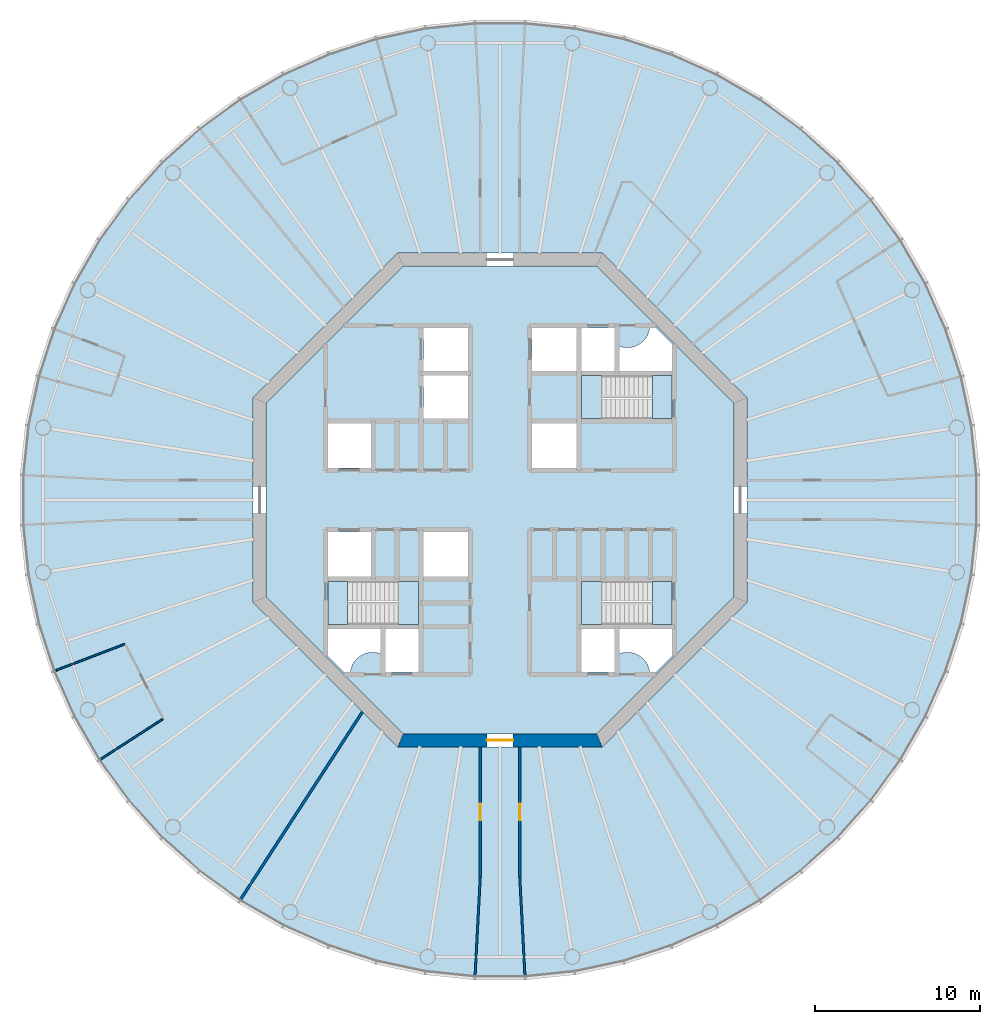
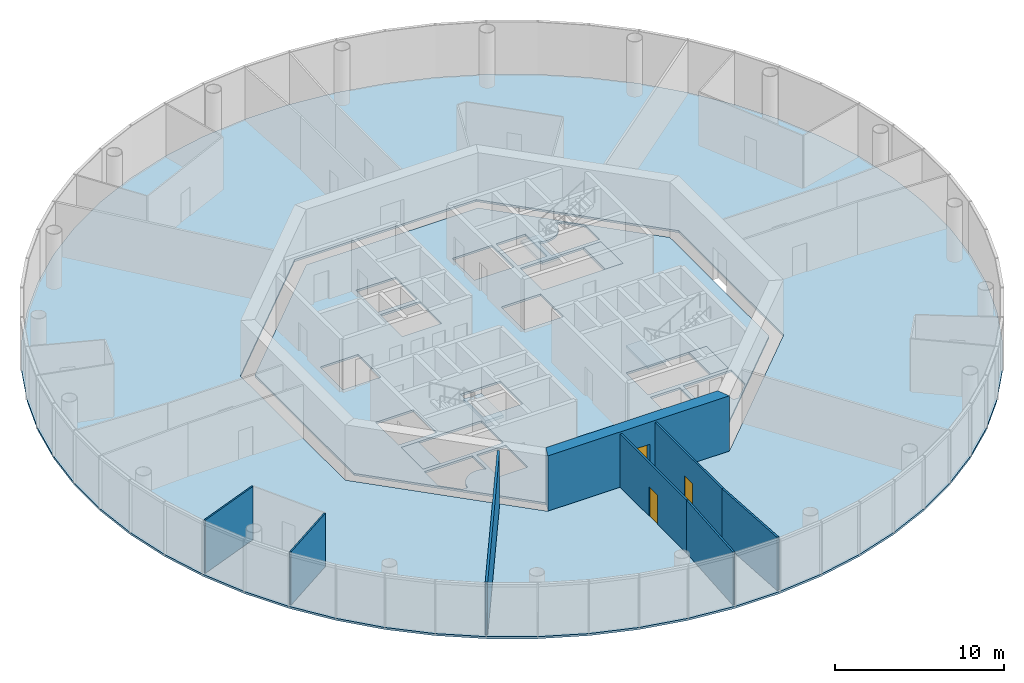
# One storey, part 2 of 13: 8 slabs, 8 walls, 3 doors, 3 openings, 3 elements without a shape of their own.
"""IFC4 building model written with IfcOpenShell, lengths in metres."""

from ifc_helpers import new_model, si_unit, direction, frame, frame_2d, origin, place, context, subcontext, project, spatial, polyline, rectangle, outline, extrude, material, layer, layer_set, type_object, element, fill, aggregate, save


model = new_model("IFC4")

# Units and contexts
model_context = context("Model", 3, precision=1e-05, world=origin(), true_north=direction((0.0, 1.0)))
body_context = subcontext(model_context, "Body", "Model", "MODEL_VIEW")
ifc_project = project(units=[si_unit("LENGTHUNIT", "METRE"), si_unit("AREAUNIT", "SQUARE_METRE"), si_unit("VOLUMEUNIT", "CUBIC_METRE"), si_unit("PLANEANGLEUNIT", "RADIAN"), si_unit("MASSUNIT", "GRAM", prefix="KILO")], contexts=[model_context])

# Site, building, storey
site_placement = place(None, origin())
site = spatial("IfcSite", under=ifc_project, at=site_placement, CompositionType="ELEMENT")
building_placement = place(site_placement, origin())
building = spatial("IfcBuilding", under=site, at=building_placement, Name="Entoto Ring Tower", CompositionType="ELEMENT")
storey_placement = place(building_placement, frame((0.0, 0.0, 318.0)))
storey = spatial("IfcBuildingStorey", under=building, at=storey_placement, Name="L73", CompositionType="ELEMENT", Elevation=318.0)

# Slabs
ifc_material_1 = material(Name="Concrete C30/37", Category="concrete")
ifc_layer_1 = layer(ifc_material_1, 0.14990234375)
ifc_layer_set_1 = layer_set([ifc_layer_1], Name="Concrete C30/37")
slab_type_1 = type_object("IfcSlabType", Name="Composite floor slab 150 mm", PredefinedType="FLOOR", material=ifc_layer_set_1)
slab_1_placement = place(storey_placement, frame((0.0, 0.0, -0.14990234375)))
element("IfcSlab", 1, at=slab_1_placement, inside=storey, type_object=slab_type_1, Name="Floor slab L73", PredefinedType="FLOOR", context=body_context, shape_type="SweptSolid", body=[
    extrude(outline(polyline([(118.74169921875, 84.55224609375), (118.1083984375, 87.53173828125), (117.167236328125, 90.428466796875), (115.92822265625, 93.211181640625), (114.4052734375, 95.848876953125), (112.614990234375, 98.313232421875), (110.576904296875, 100.576904296875), (108.313232421875, 102.614990234375), (105.848876953125, 104.4052734375), (103.211181640625, 105.92822265625), (100.428466796875, 107.167236328125), (97.53173828125, 108.1083984375), (94.55224609375, 108.74169921875), (91.52294921875, 109.06005859375), (88.47705078125, 109.06005859375), (85.44775390625, 108.74169921875), (82.46826171875, 108.1083984375), (79.571533203125, 107.167236328125), (76.788818359375, 105.92822265625), (74.151123046875, 104.4052734375), (71.686767578125, 102.614990234375), (69.423095703125, 100.576904296875), (67.385009765625, 98.313232421875), (65.5947265625, 95.848876953125), (64.07177734375, 93.211181640625), (62.832763671875, 90.428466796875), (61.8916015625, 87.53173828125), (61.25830078125, 84.55224609375), (60.93994140625, 81.52294921875), (60.93994140625, 78.47705078125), (61.25830078125, 75.44775390625), (61.8916015625, 72.46826171875), (62.832763671875, 69.571533203125), (64.07177734375, 66.788818359375), (65.5947265625, 64.151123046875), (67.385009765625, 61.686767578125), (69.423095703125, 59.423095703125), (71.686767578125, 57.385009765625), (74.151123046875, 55.5947265625), (76.788818359375, 54.07177734375), (79.571533203125, 52.832763671875), (82.46826171875, 51.8916015625), (85.44775390625, 51.25830078125), (88.47705078125, 50.93994140625), (91.52294921875, 50.93994140625), (94.55224609375, 51.25830078125), (97.53173828125, 51.8916015625), (100.428466796875, 52.832763671875), (103.211181640625, 54.07177734375), (105.848876953125, 55.5947265625), (108.313232421875, 57.385009765625), (110.576904296875, 59.423095703125), (112.614990234375, 61.686767578125), (114.4052734375, 64.151123046875), (115.92822265625, 66.788818359375), (117.167236328125, 69.571533203125), (118.1083984375, 72.46826171875), (118.74169921875, 75.44775390625), (119.06005859375, 78.47705078125), (119.06005859375, 81.52294921875), (118.74169921875, 84.55224609375)]), holes=[polyline([(105.0, 73.786865234375), (105.0, 86.213134765625), (96.213134765625, 95.0), (83.786865234375, 95.0), (75.0, 86.213134765625), (75.0, 73.786865234375), (83.786865234375, 65.0), (96.213134765625, 65.0), (105.0, 73.786865234375)])]), origin(), (0.0, 0.0, 1.0), 0.14990234375),
])
ifc_material_2 = material(Name="Concrete C40/50", Category="concrete")
ifc_layer_2 = layer(ifc_material_2, 0.14990234375)
ifc_layer_set_2 = layer_set([ifc_layer_2], Name="Concrete C40/50")
slab_type_2 = type_object("IfcSlabType", Name="Core floor slab 150 mm reinforced concrete C40/50", PredefinedType="FLOOR", material=ifc_layer_set_2)
slab_2_placement = place(storey_placement, frame((0.0, 0.0, -0.14990234375)))
element("IfcSlab", 2, at=slab_2_placement, inside=storey, type_object=slab_type_2, Name="Core floor L73", PredefinedType="FLOOR", context=body_context, shape_type="SweptSolid", body=[
    extrude(outline(polyline([(104.199951171875, 74.1181640625), (104.199951171875, 85.8818359375), (95.8818359375, 94.199951171875), (84.1181640625, 94.199951171875), (75.800048828125, 85.8818359375), (75.800048828125, 74.1181640625), (84.1181640625, 65.800048828125), (95.8818359375, 65.800048828125), (104.199951171875, 74.1181640625)]), holes=[polyline([(100.449951171875, 84.949951171875), (100.449951171875, 87.550048828125), (94.949951171875, 87.550048828125), (94.949951171875, 84.949951171875), (100.449951171875, 84.949951171875)]), polyline([(85.050048828125, 72.449951171875), (85.050048828125, 75.050048828125), (79.550048828125, 75.050048828125), (79.550048828125, 72.449951171875), (85.050048828125, 72.449951171875)]), polyline([(100.449951171875, 72.449951171875), (100.449951171875, 75.050048828125), (94.949951171875, 75.050048828125), (94.949951171875, 72.449951171875), (100.449951171875, 72.449951171875)]), polyline([(94.949951171875, 90.449951171875), (94.949951171875, 87.85009765625), (96.949951171875, 87.85009765625), (96.949951171875, 90.449951171875), (94.949951171875, 90.449951171875)]), polyline([(94.949951171875, 72.14990234375), (94.949951171875, 69.550048828125), (96.949951171875, 69.550048828125), (96.949951171875, 72.14990234375), (94.949951171875, 72.14990234375)]), polyline([(83.050048828125, 72.14990234375), (83.050048828125, 69.550048828125), (85.050048828125, 69.550048828125), (85.050048828125, 72.14990234375), (83.050048828125, 72.14990234375)]), polyline([(79.550048828125, 81.949951171875), (82.14990234375, 81.949951171875), (82.14990234375, 84.64990234375), (79.550048828125, 84.64990234375), (79.550048828125, 81.949951171875)]), polyline([(79.550048828125, 75.35009765625), (82.14990234375, 75.35009765625), (82.14990234375, 78.050048828125), (79.550048828125, 78.050048828125), (79.550048828125, 75.35009765625)]), polyline([(91.949951171875, 87.85009765625), (94.64990234375, 87.85009765625), (94.64990234375, 90.449951171875), (91.949951171875, 90.449951171875), (91.949951171875, 87.85009765625)]), polyline([(91.949951171875, 81.949951171875), (94.64990234375, 81.949951171875), (94.64990234375, 84.64990234375), (91.949951171875, 84.64990234375), (91.949951171875, 81.949951171875)]), polyline([(85.35009765625, 75.35009765625), (88.050048828125, 75.35009765625), (88.050048828125, 78.050048828125), (85.35009765625, 78.050048828125), (85.35009765625, 75.35009765625)]), polyline([(85.35009765625, 84.949951171875), (88.050048828125, 84.949951171875), (88.050048828125, 87.550048828125), (85.35009765625, 87.550048828125), (85.35009765625, 84.949951171875)]), polyline([(85.35009765625, 87.85009765625), (88.050048828125, 87.85009765625), (88.050048828125, 90.449951171875), (85.35009765625, 90.449951171875), (85.35009765625, 87.85009765625)]), polyline([(97.199951171875, 89.368408203125), (97.199951171875, 87.800048828125), (100.5, 87.800048828125), (100.5, 89.4404296875), (99.4404296875, 90.5), (99.09521484375, 90.5), (99.093505859375, 90.4677734375), (99.07421875, 90.336669921875), (99.0419921875, 90.2080078125), (98.997314453125, 90.08349609375), (98.940673828125, 89.963623046875), (98.87255859375, 89.85009765625), (98.793701171875, 89.74365234375), (98.70458984375, 89.6455078125), (98.6064453125, 89.556396484375), (98.5, 89.4775390625), (98.386474609375, 89.409423828125), (98.2666015625, 89.352783203125), (98.141845703125, 89.30810546875), (98.013427734375, 89.27587890625), (97.88232421875, 89.256591796875), (97.75, 89.25), (97.61767578125, 89.256591796875), (97.486572265625, 89.27587890625), (97.358154296875, 89.30810546875), (97.2333984375, 89.352783203125), (97.199951171875, 89.368408203125)]), polyline([(80.5595703125, 69.5), (80.90478515625, 69.5), (80.906494140625, 69.5322265625), (80.92578125, 69.663330078125), (80.9580078125, 69.7919921875), (81.002685546875, 69.91650390625), (81.059326171875, 70.036376953125), (81.12744140625, 70.14990234375), (81.206298828125, 70.25634765625), (81.29541015625, 70.3544921875), (81.3935546875, 70.443603515625), (81.5, 70.5224609375), (81.613525390625, 70.590576171875), (81.7333984375, 70.647216796875), (81.858154296875, 70.69189453125), (81.986572265625, 70.72412109375), (82.11767578125, 70.743408203125), (82.25, 70.75), (82.38232421875, 70.743408203125), (82.513427734375, 70.72412109375), (82.641845703125, 70.69189453125), (82.7666015625, 70.647216796875), (82.800048828125, 70.631591796875), (82.800048828125, 72.199951171875), (79.5, 72.199951171875), (79.5, 70.5595703125), (80.5595703125, 69.5)]), polyline([(99.09521484375, 69.5), (99.4404296875, 69.5), (100.5, 70.5595703125), (100.5, 72.199951171875), (97.199951171875, 72.199951171875), (97.199951171875, 70.631591796875), (97.2333984375, 70.647216796875), (97.358154296875, 70.69189453125), (97.486572265625, 70.72412109375), (97.61767578125, 70.743408203125), (97.75, 70.75), (97.88232421875, 70.743408203125), (98.013427734375, 70.72412109375), (98.141845703125, 70.69189453125), (98.2666015625, 70.647216796875), (98.386474609375, 70.590576171875), (98.5, 70.5224609375), (98.6064453125, 70.443603515625), (98.70458984375, 70.3544921875), (98.793701171875, 70.25634765625), (98.87255859375, 70.14990234375), (98.940673828125, 70.036376953125), (98.997314453125, 69.91650390625), (99.0419921875, 69.7919921875), (99.07421875, 69.663330078125), (99.093505859375, 69.5322265625), (99.09521484375, 69.5)])]), origin(), (0.0, 0.0, 1.0), 0.14990234375),
])

# Stair, slabs
ifc_material_3 = material(Name="Concrete C40/50", Category="concrete")
stair_type = type_object("IfcStairType", Name="Exit stair 1200 mm dog-leg reinforced concrete", PredefinedType="HALF_TURN_STAIR", material=ifc_material_3)
stair_1_placement = place(storey_placement, origin())
stair_1 = element("IfcStair", 3, at=stair_1_placement, inside=storey, type_object=stair_type, Name="Exit stair 1", PredefinedType="HALF_TURN_STAIR")
ifc_material_4 = material(Name="Concrete C40/50", Category="concrete")
ifc_layer_3 = layer(ifc_material_4, 0.199951171875)
ifc_layer_set_3 = layer_set([ifc_layer_3], Name="Concrete C40/50")
slab_type_3 = type_object("IfcSlabType", Name="Stair landing 200 mm reinforced concrete", PredefinedType="LANDING", material=ifc_layer_set_3)
slab_3_placement = place(storey_placement, frame((0.0, 0.0, -0.199951171875)))
slab_3 = element("IfcSlab", 4, at=slab_3_placement, type_object=slab_type_3, Name="ST1 landing 1", PredefinedType="LANDING", context=body_context, shape_type="SweptSolid", body=[
    extrude(outline(polyline([(100.449951171875, 84.949951171875), (100.449951171875, 87.550048828125), (99.25, 87.550048828125), (99.25, 84.949951171875), (100.449951171875, 84.949951171875)])), origin(), (0.0, 0.0, 1.0), 0.199951171875),
])
slab_4_placement = place(storey_placement, frame((0.0, 0.0, 1.800048828125)))
slab_4 = element("IfcSlab", 5, at=slab_4_placement, type_object=slab_type_3, Name="ST1 landing 2", PredefinedType="LANDING", context=body_context, shape_type="SweptSolid", body=[
    extrude(outline(polyline([(94.949951171875, 84.949951171875), (96.169921875, 84.949951171875), (96.169921875, 87.550048828125), (94.949951171875, 87.550048828125), (94.949951171875, 84.949951171875)])), origin(), (0.0, 0.0, 1.0), 0.199951171875),
])
aggregate(stair_1, [slab_3, slab_4])

stair_2_placement = place(storey_placement, origin())
stair_2 = element("IfcStair", 6, at=stair_2_placement, inside=storey, type_object=stair_type, Name="Exit stair 2", PredefinedType="HALF_TURN_STAIR")
slab_5_placement = place(storey_placement, frame((0.0, 0.0, -0.199951171875)))
slab_5 = element("IfcSlab", 7, at=slab_5_placement, type_object=slab_type_3, Name="ST2 landing 1", PredefinedType="LANDING", context=body_context, shape_type="SweptSolid", body=[
    extrude(outline(polyline([(80.75, 72.449951171875), (80.75, 75.050048828125), (79.550048828125, 75.050048828125), (79.550048828125, 72.449951171875), (80.75, 72.449951171875)])), origin(), (0.0, 0.0, 1.0), 0.199951171875),
])
slab_6_placement = place(storey_placement, frame((0.0, 0.0, 1.800048828125)))
slab_6 = element("IfcSlab", 8, at=slab_6_placement, type_object=slab_type_3, Name="ST2 landing 2", PredefinedType="LANDING", context=body_context, shape_type="SweptSolid", body=[
    extrude(outline(polyline([(83.830078125, 72.449951171875), (85.050048828125, 72.449951171875), (85.050048828125, 75.050048828125), (83.830078125, 75.050048828125), (83.830078125, 72.449951171875)])), origin(), (0.0, 0.0, 1.0), 0.199951171875),
])
aggregate(stair_2, [slab_5, slab_6])

stair_3_placement = place(storey_placement, origin())
stair_3 = element("IfcStair", 9, at=stair_3_placement, inside=storey, type_object=stair_type, Name="Exit stair 3", PredefinedType="HALF_TURN_STAIR")
slab_7_placement = place(storey_placement, frame((0.0, 0.0, -0.199951171875)))
slab_7 = element("IfcSlab", 10, at=slab_7_placement, type_object=slab_type_3, Name="ST3 landing 1", PredefinedType="LANDING", context=body_context, shape_type="SweptSolid", body=[
    extrude(outline(polyline([(100.449951171875, 72.449951171875), (100.449951171875, 75.050048828125), (99.25, 75.050048828125), (99.25, 72.449951171875), (100.449951171875, 72.449951171875)])), origin(), (0.0, 0.0, 1.0), 0.199951171875),
])
slab_8_placement = place(storey_placement, frame((0.0, 0.0, 1.800048828125)))
slab_8 = element("IfcSlab", 11, at=slab_8_placement, type_object=slab_type_3, Name="ST3 landing 2", PredefinedType="LANDING", context=body_context, shape_type="SweptSolid", body=[
    extrude(outline(polyline([(94.949951171875, 72.449951171875), (96.169921875, 72.449951171875), (96.169921875, 75.050048828125), (94.949951171875, 75.050048828125), (94.949951171875, 72.449951171875)])), origin(), (0.0, 0.0, 1.0), 0.199951171875),
])
aggregate(stair_3, [slab_7, slab_8])

# Wall, opening, door
ifc_material_5 = material(Name="Concrete C40/50", Category="concrete")
ifc_layer_4 = layer(ifc_material_5, 0.800048828125)
ifc_layer_set_4 = layer_set([ifc_layer_4], Name="Concrete C40/50")
wall_type_1 = type_object("IfcWallType", Name="Core shear wall 800 mm reinforced concrete C40/50", PredefinedType="SHEAR", material=ifc_layer_set_4)
wall_1_placement = place(storey_placement, frame((83.952392578125, 65.39990234375, 0.0), z_axis=(0.0, 0.0, 1.0), x_axis=(1.0, 0.0, 0.0)))
wall_1 = element("IfcWall", 12, at=wall_1_placement, inside=storey, type_object=wall_type_1, Name="wall-L73-core-6", PredefinedType="SHEAR", context=body_context, shape_type="SweptSolid", body=[
    extrude(outline(polyline([(-0.165771484375, -0.39990234375), (12.260986328125, -0.39990234375), (11.929443359375, 0.39990234375), (0.165771484375, 0.39990234375), (-0.165771484375, -0.39990234375)])), origin(), (0.0, 0.0, 1.0), 4.0),
])
opening_1_placement = place(wall_1_placement, frame((5.24755859375, 0.0, 0.0)))
opening_1 = element("IfcOpeningElement", 13, at=opening_1_placement, cuts=wall_1, Name="Opening K-04", PredefinedType="OPENING", context=body_context, shape_type="SweptSolid", body=[
    extrude(rectangle(XDim=1.60009765625, YDim=2.39990234375, at=frame_2d((0.800048828125, 1.199951171875))), frame((0.0, 0.41015625, 0.0), z_axis=(0.0, -1.0, 0.0), x_axis=(1.0, 0.0, 0.0)), (0.0, 0.0, 1.0), 0.820068359375),
])
ifc_material_6 = material(Name="Steel door leaf, fire rated", Category="steel")
ifc_layer_5 = layer(ifc_material_6, 0.050048828125)
ifc_layer_set_5 = layer_set([ifc_layer_5], Name="Steel door leaf, fire rated")
door_type_1 = type_object("IfcDoorType", Name="Entrance door FD60 1600 x 2400 double leaf", OperationType="DOUBLE_DOOR_SINGLE_SWING", PredefinedType="DOOR", material=ifc_layer_set_5)
door_1_placement = place(opening_1_placement, origin())
door_1 = element("IfcDoor", 14, at=door_1_placement, inside=storey, type_object=door_type_1, Name="Entrance door K-04", OperationType="DOUBLE_DOOR_SINGLE_SWING", OverallHeight=2.39990234375, OverallWidth=1.60009765625, PredefinedType="DOOR", context=body_context, shape_type="SweptSolid", body=[
    extrude(rectangle(XDim=1.60009765625, YDim=2.39990234375, at=frame_2d((0.800048828125, 1.199951171875))), frame((0.0, 0.02490234375, 0.0), z_axis=(0.0, -1.0, 0.0), x_axis=(1.0, 0.0, 0.0)), (0.0, 0.0, 1.0), 0.050048828125),
])
fill(opening_1, door_1)

ifc_material_7 = material(Name="Fire-resisting plasterboard on steel studs", Category="steel")
ifc_layer_6 = layer(ifc_material_7, 0.125)
ifc_layer_set_6 = layer_set([ifc_layer_6], Name="Fire-resisting plasterboard on steel studs")
wall_type_2 = type_object("IfcWallType", Name="Corridor wall 125 mm one-hour plasterboard on steel studs", PredefinedType="PARTITIONING", material=ifc_layer_set_6)
wall_2_placement = place(storey_placement, frame((88.800048828125, 57.1025390625, 0.0), z_axis=(0.0, 0.0, 1.0), x_axis=(0.0, 1.0, 0.0)))
wall_2 = element("IfcWall", 15, at=wall_2_placement, inside=storey, type_object=wall_type_2, Name="partition-L73-003", PredefinedType="PARTITIONING", context=body_context, shape_type="SweptSolid", body=[
    extrude(rectangle(XDim=7.8974609375, YDim=0.125, at=frame_2d((3.94873046875, 0.0))), origin(), (0.0, 0.0, 1.0), 3.85009765625),
])
opening_2_placement = place(wall_2_placement, frame((3.44873046875, 0.0, 0.0)))
opening_2 = element("IfcOpeningElement", 16, at=opening_2_placement, cuts=wall_2, Name="Opening A31-D11", PredefinedType="OPENING", context=body_context, shape_type="SweptSolid", body=[
    extrude(rectangle(XDim=1.0, YDim=2.10009765625, at=frame_2d((0.5, 1.050048828125))), frame((0.0, 0.072509765625, 0.0), z_axis=(0.0, -1.0, 0.0), x_axis=(1.0, 0.0, 0.0)), (0.0, 0.0, 1.0), 0.14501953125),
])
ifc_material_8 = material(Name="Fire-resisting timber door set", Category="wood")
door_type_2 = type_object("IfcDoorType", Name="Door 1000 x 2100 single leaf FD30S fire door", OperationType="NOTDEFINED", PredefinedType="DOOR", material=ifc_material_8)
door_2_placement = place(opening_2_placement, origin())
door_2 = element("IfcDoor", 17, at=door_2_placement, inside=storey, type_object=door_type_2, Name="Door A31-D11", OperationType="SINGLE_SWING_RIGHT", OverallHeight=2.10009765625, OverallWidth=1.0, PredefinedType="DOOR", context=body_context, shape_type="SweptSolid", body=[
    extrude(rectangle(XDim=1.0, YDim=2.10009765625, at=frame_2d((0.5, 1.050048828125))), frame((0.0, 0.02490234375, 0.0), z_axis=(0.0, -1.0, 0.0), x_axis=(1.0, 0.0, 0.0)), (0.0, 0.0, 1.0), 0.050048828125),
])
fill(opening_2, door_2)

wall_3_placement = place(storey_placement, frame((91.199951171875, 57.1025390625, 0.0), z_axis=(0.0, 0.0, 1.0), x_axis=(0.0, 1.0, 0.0)))
wall_3 = element("IfcWall", 18, at=wall_3_placement, inside=storey, type_object=wall_type_2, Name="partition-L73-005", PredefinedType="PARTITIONING", context=body_context, shape_type="SweptSolid", body=[
    extrude(rectangle(XDim=7.8974609375, YDim=0.125, at=frame_2d((3.94873046875, 0.0))), origin(), (0.0, 0.0, 1.0), 3.85009765625),
])
opening_3_placement = place(wall_3_placement, frame((3.44873046875, 0.0, 0.0)))
opening_3 = element("IfcOpeningElement", 19, at=opening_3_placement, cuts=wall_3, Name="Opening A31-D12", PredefinedType="OPENING", context=body_context, shape_type="SweptSolid", body=[
    extrude(rectangle(XDim=1.0, YDim=2.10009765625, at=frame_2d((0.5, 1.050048828125))), frame((0.0, 0.072509765625, 0.0), z_axis=(0.0, -1.0, 0.0), x_axis=(1.0, 0.0, 0.0)), (0.0, 0.0, 1.0), 0.14501953125),
])
door_3_placement = place(opening_3_placement, frame((1.0, 0.0, 0.0), z_axis=(0.0, 0.0, 1.0), x_axis=(-1.0, 0.0, 0.0)))
door_3 = element("IfcDoor", 20, at=door_3_placement, inside=storey, type_object=door_type_2, Name="Door A31-D12", OperationType="SINGLE_SWING_LEFT", OverallHeight=2.10009765625, OverallWidth=1.0, PredefinedType="DOOR", context=body_context, shape_type="SweptSolid", body=[
    extrude(rectangle(XDim=1.0, YDim=2.10009765625, at=frame_2d((0.5, 1.050048828125))), frame((0.0, 0.02490234375, 0.0), z_axis=(0.0, -1.0, 0.0), x_axis=(1.0, 0.0, 0.0)), (0.0, 0.0, 1.0), 0.050048828125),
])
fill(opening_3, door_3)

# Walls
for number, where, z_axis, x_axis, name in (
    (21, (88.4853515625, 51.099609375, 0.0), (0.0, 0.0, 1.0), (0.052339150565, 0.998629367342, 0.0), "partition-L73-011"),
    (22, (91.5146484375, 51.099609375, 0.0), (0.0, 0.0, 1.0), (-0.052339150565, 0.998629367342, 0.0), "partition-L73-014"),
):
    element("IfcWall", number, at=place(storey_placement, frame(where, z_axis=z_axis, x_axis=x_axis)), inside=storey, type_object=wall_type_2, Name=name, PredefinedType="PARTITIONING", context=body_context, shape_type="SweptSolid", body=[
        extrude(rectangle(XDim=6.008056640625, YDim=0.125, at=frame_2d((3.00390625, 0.0))), origin(), (0.0, 0.0, 1.0), 3.85009765625),
    ])
ifc_material_9 = material(Name="Plasterboard on steel studs", Category="steel")
ifc_layer_7 = layer(ifc_material_9, 0.10009765625)
ifc_layer_set_7 = layer_set([ifc_layer_7], Name="Plasterboard on steel studs")
wall_type_3 = type_object("IfcWallType", Name="Partition 100 mm plasterboard on steel studs", PredefinedType="PARTITIONING", material=ifc_layer_set_7)
for number, where, z_axis, x_axis, name in (
    (23, (65.72900390625, 64.238037109375, 0.0), (0.0, 0.0, 1.0), (0.838650544792, 0.544669866726, 0.0), "partition-L73-030"),
    (24, (62.982177734375, 69.62890625, 0.0), (0.0, 0.0, 1.0), (0.933578905137, 0.358371912798, 0.0), "partition-L73-032"),
):
    element("IfcWall", number, at=place(storey_placement, frame(where, z_axis=z_axis, x_axis=x_axis)), inside=storey, type_object=wall_type_3, Name=name, PredefinedType="PARTITIONING", context=body_context, shape_type="SweptSolid", body=[
        extrude(rectangle(XDim=4.500244140625, YDim=0.10009765625, at=frame_2d((2.25, 0.0))), origin(), (0.0, 0.0, 1.0), 3.85009765625),
    ])
ifc_material_10 = material(Name="Fire-resisting acoustic plasterboard on steel studs", Category="steel")
ifc_layer_8 = layer(ifc_material_10, 0.14990234375)
ifc_layer_set_8 = layer_set([ifc_layer_8], Name="Fire-resisting acoustic plasterboard on steel studs")
wall_type_4 = type_object("IfcWallType", Name="Party wall 150 mm one-hour acoustic plasterboard on steel studs", PredefinedType="PARTITIONING", material=ifc_layer_set_8)
wall_4_placement = place(storey_placement, frame((74.238037109375, 55.72900390625, 0.0), z_axis=(0.0, 0.0, 1.0), x_axis=(0.544650850813, 0.838662894558, 0.0)))
element("IfcWall", 25, at=wall_4_placement, inside=storey, type_object=wall_type_4, Name="partition-L73-019", PredefinedType="PARTITIONING", context=body_context, shape_type="SweptSolid", body=[
    extrude(rectangle(XDim=13.60498046875, YDim=0.14990234375, at=frame_2d((6.802490234375, 0.0))), origin(), (0.0, 0.0, 1.0), 3.85009765625),
])

save(model, "model.ifc")
